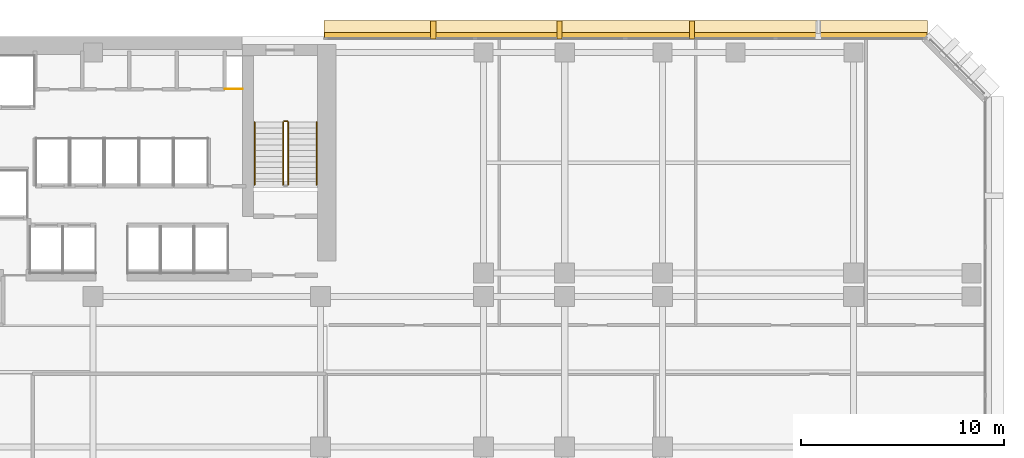
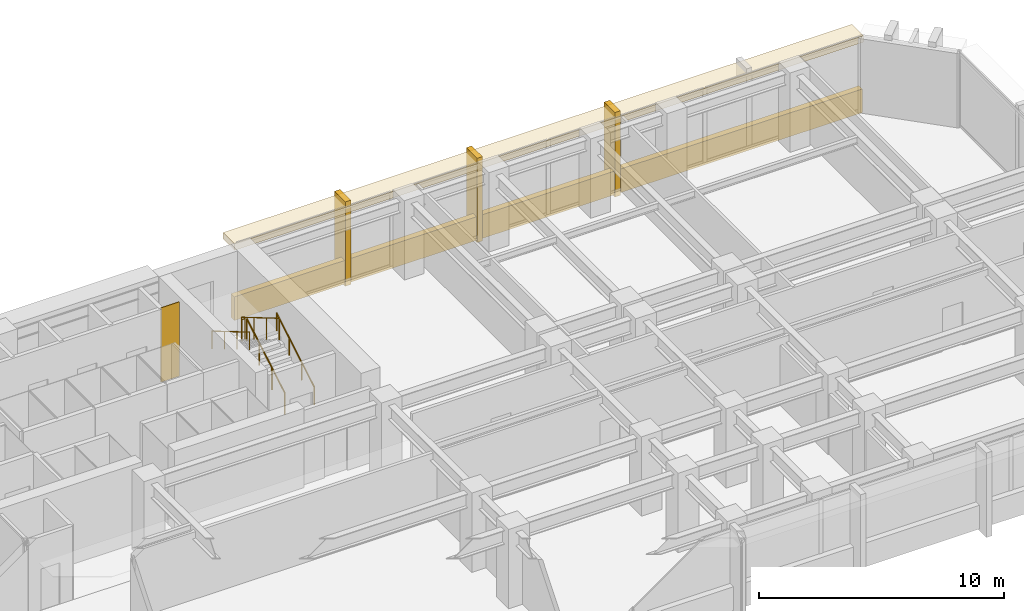
# One storey, part 13 of 14: 6 coverings, 5 railings.
"""IFC4 building model written with IfcOpenShell, lengths in metres."""

import ifcopenshell
import ifcopenshell.guid

model = None  # the IFC model being written
_history = None  # IfcOwnerHistory: only IFC2X3 demands one
_inside = {}  # id of a spatial element -> (the spatial element, [elements in it])
_under = {}  # id of a project, library or spatial element -> (it, [spatial elements below it])
_declared = {}  # id of a project -> (the project, [libraries it declares])
_typed = {}  # id of a type object -> (the type object, [elements of that type])
_made_of = {}  # id of a material, layer set ... -> (it, [elements and type objects made of it])


def new_model(schema):
    """Start an empty IFC model of exactly this schema.

    Asked for "IFC4X3", IfcOpenShell would pick the latest addendum, in which some entities
    have other attributes; the version numbers below select the first issue.
    IFC2X3 requires an IfcOwnerHistory on every rooted entity: one is made here for all.
    """
    global model, _history
    if schema == "IFC4X3":
        model = ifcopenshell.file(schema_version=(4, 3, 0, 0))
    else:
        model = ifcopenshell.file(schema=schema)
    _inside.clear()
    _under.clear()
    _declared.clear()
    _typed.clear()
    _made_of.clear()
    _history = None
    if model.schema == "IFC2X3":
        org = make("IfcOrganization", Name="unknown")
        user = make(
            "IfcPersonAndOrganization",
            ThePerson=make("IfcPerson", FamilyName="unknown"),
            TheOrganization=org,
        )
        app = make(
            "IfcApplication",
            ApplicationDeveloper=org,
            Version="unknown",
            ApplicationFullName="unknown",
            ApplicationIdentifier="unknown",
        )
        _history = make(
            "IfcOwnerHistory",
            OwningUser=user,
            OwningApplication=app,
            ChangeAction="ADDED",
            CreationDate=0,
        )
    return model


def make(cls, **values):
    """One entity of the class cls with the attributes given. An attribute that is None is left unset."""
    return model.create_entity(
        cls, **{name: value for name, value in values.items() if value is not None}
    )


def rooted(cls, **values):
    """An entity with a GlobalId (a new one), such as an element, a storey or a relation."""
    return make(cls, GlobalId=ifcopenshell.guid.new(), OwnerHistory=_history, **values)


def si_unit(unit_type, name, prefix=None):
    """IfcSIUnit, for example si_unit("LENGTHUNIT", "METRE", prefix="MILLI")."""
    return make("IfcSIUnit", UnitType=unit_type, Prefix=prefix, Name=name)


def assignment(units):
    """IfcUnitAssignment: the units of a project."""
    return None if units is None else make("IfcUnitAssignment", Units=units)


def point(xyz):
    """IfcCartesianPoint."""
    return None if xyz is None else make("IfcCartesianPoint", Coordinates=xyz)


def direction(xyz):
    """IfcDirection."""
    return None if xyz is None else make("IfcDirection", DirectionRatios=xyz)


def frame(location, z_axis=None, x_axis=None):
    """IfcAxis2Placement3D, a coordinate frame: its origin and axes. An axis left out is left unset."""
    return make(
        "IfcAxis2Placement3D",
        Location=point(location),
        Axis=direction(z_axis),
        RefDirection=direction(x_axis),
    )


def frame_2d(location, x_axis=None):
    """IfcAxis2Placement2D, a coordinate frame in the plane: its origin and x axis."""
    return make(
        "IfcAxis2Placement2D", Location=point(location), RefDirection=direction(x_axis)
    )


def origin():
    """The frame at (0, 0, 0) with its axes left unset."""
    return frame((0.0, 0.0, 0.0))


def origin_2d():
    """The frame at (0, 0) in the plane with its x axis left unset."""
    return frame_2d((0.0, 0.0))


def place(relative_to, where):
    """IfcLocalPlacement: puts the frame where relative to a parent placement (None: the world)."""
    return make(
        "IfcLocalPlacement", PlacementRelTo=relative_to, RelativePlacement=where
    )


def context(
    kind, dimensions, precision=None, world=None, true_north=None, identifier=None
):
    """IfcGeometricRepresentationContext, for example the 3D "Model" context."""
    return make(
        "IfcGeometricRepresentationContext",
        ContextIdentifier=identifier,
        ContextType=kind,
        CoordinateSpaceDimension=dimensions,
        Precision=precision,
        WorldCoordinateSystem=world,
        TrueNorth=true_north,
    )


def subcontext(parent, identifier, kind, view, scale=None):
    """IfcGeometricRepresentationSubContext, for example "Body" below "Model"."""
    return make(
        "IfcGeometricRepresentationSubContext",
        ContextIdentifier=identifier,
        ContextType=kind,
        ParentContext=parent,
        TargetScale=scale,
        TargetView=view,
    )


def project(units=None, contexts=None):
    """IfcProject with its units and contexts."""
    return rooted(
        "IfcProject",
        Name="project",
        RepresentationContexts=contexts,
        UnitsInContext=assignment(units),
    )


def spatial(cls, under=None, at=None, **own):
    """A site, building, storey or space (cls), placed at a placement, below another one or the project."""
    s = rooted(cls, ObjectPlacement=at, **own)
    if under is not None:
        _under.setdefault(under.id(), (under, []))[1].append(s)
    return s


def polyline(points):
    """IfcPolyline through the points."""
    return make("IfcPolyline", Points=[point(p) for p in points])


def profile(cls, at=None, kind="AREA", **sizes):
    """A parametric profile (cls). Its sizes go by their IFC names, for example OverallWidth=200.0."""
    return make(cls, ProfileType=kind, Position=at, **sizes)


def rectangle(**sizes):
    """IfcRectangleProfileDef."""
    return profile("IfcRectangleProfileDef", **sizes)


def circle(**sizes):
    """IfcCircleProfileDef."""
    return profile("IfcCircleProfileDef", **sizes)


def outline(outer, holes=None, kind="AREA"):
    """IfcArbitraryClosedProfileDef: a profile drawn as a closed curve; with holes, ...WithVoids."""
    if holes is None:
        return make("IfcArbitraryClosedProfileDef", ProfileType=kind, OuterCurve=outer)
    return make(
        "IfcArbitraryProfileDefWithVoids",
        ProfileType=kind,
        OuterCurve=outer,
        InnerCurves=holes,
    )


def extrude(swept, where, along, depth):
    """IfcExtrudedAreaSolid: the profile swept, set in the frame where, extruded along a direction by depth."""
    return make(
        "IfcExtrudedAreaSolid",
        SweptArea=swept,
        Position=where,
        ExtrudedDirection=direction(along),
        Depth=depth,
    )


def shape(context_of_items, identifier, shape_type, items):
    """IfcShapeRepresentation: the items that make up one representation, for example the "Body"."""
    return make(
        "IfcShapeRepresentation",
        ContextOfItems=context_of_items,
        RepresentationIdentifier=identifier,
        RepresentationType=shape_type,
        Items=items,
    )


def material(Name=None, Category=None):
    """IfcMaterial."""
    return make("IfcMaterial", Name=Name, Category=Category)


def layer(
    of_material, thickness, ventilated=None, Name=None, Category=None, Priority=None
):
    """IfcMaterialLayer: one layer of a wall or slab, of a material (None: an air gap)."""
    return make(
        "IfcMaterialLayer",
        Material=of_material,
        LayerThickness=thickness,
        IsVentilated=ventilated,
        Name=Name,
        Category=Category,
        Priority=Priority,
    )


def layer_set(layers, Name=None):
    """IfcMaterialLayerSet."""
    return make("IfcMaterialLayerSet", MaterialLayers=layers, LayerSetName=Name)


def made_of(thing, what):
    """Note that an element or type object is made of a material, layer set ...; save() writes the relation."""
    if what is not None:
        _made_of.setdefault(what.id(), (what, []))[1].append(thing)
    return thing


def type_object(cls, material=None, **own):
    """A type object (cls), such as IfcWallType, which elements share."""
    return made_of(rooted(cls, **own), material)


def element(
    cls,
    number,
    at=None,
    inside=None,
    cuts=None,
    type_object=None,
    material=None,
    context=None,
    identifier="Body",
    shape_type=None,
    held_by="IfcProductDefinitionShape",
    body=None,
    shapes=None,
    **own,
):
    """One element of the class cls, such as IfcWall. Its Tag is "e" and its number.

    at: its placement. inside: the storey or other place that contains it. cuts: it is an
    opening in that element (IfcRelVoidsElement). A single representation is given by context,
    identifier, shape_type and body (its items); several are given by shapes. held_by: the class
    of the entity that holds the representations. save() writes the other relations.
    """
    e = rooted(cls, Tag="e%d" % number, ObjectPlacement=at, **own)
    if body is not None:
        shapes = [shape(context, identifier, shape_type, body)]
    if shapes is not None:
        e.Representation = make(held_by, Representations=shapes)
    if inside is not None:
        _inside.setdefault(inside.id(), (inside, []))[1].append(e)
    if cuts is not None:
        rooted(
            "IfcRelVoidsElement", RelatingBuildingElement=cuts, RelatedOpeningElement=e
        )
    if type_object is not None:
        _typed.setdefault(type_object.id(), (type_object, []))[1].append(e)
    return made_of(e, material)


def aggregate(whole, parts):
    """IfcRelAggregates: a whole, such as a stair, and the parts it consists of."""
    return rooted("IfcRelAggregates", RelatingObject=whole, RelatedObjects=parts)


def save(model, path):
    """Write the relations noted so far, then the file.

    IfcRelAggregates (storeys below a building ...), IfcRelContainedInSpatialStructure (elements
    in a storey), IfcRelDefinesByType, IfcRelAssociatesMaterial and IfcRelDeclares: one each for
    every whole, place, type object, material and project.
    """
    for whole, parts in _under.values():
        aggregate(whole, parts)
    for where, things in _inside.values():
        rooted(
            "IfcRelContainedInSpatialStructure",
            RelatedElements=things,
            RelatingStructure=where,
        )
    for kind, things in _typed.values():
        rooted("IfcRelDefinesByType", RelatedObjects=things, RelatingType=kind)
    for what, things in _made_of.values():
        rooted("IfcRelAssociatesMaterial", RelatedObjects=things, RelatingMaterial=what)
    for by, libraries in _declared.values():
        rooted("IfcRelDeclares", RelatingContext=by, RelatedDefinitions=libraries)
    model.write(path)


model = new_model("IFC4")

# Units and contexts
model_context = context("Model", 3, precision=1e-05, world=origin(), true_north=direction((0.0, 1.0)))
body_context = subcontext(model_context, "Body", "Model", "MODEL_VIEW")
ifc_project = project(units=[si_unit("LENGTHUNIT", "METRE"), si_unit("AREAUNIT", "SQUARE_METRE"), si_unit("VOLUMEUNIT", "CUBIC_METRE"), si_unit("PLANEANGLEUNIT", "RADIAN"), si_unit("MASSUNIT", "GRAM", prefix="KILO")], contexts=[model_context])

# Site, building, storey
site_placement = place(None, origin())
site = spatial("IfcSite", under=ifc_project, at=site_placement, CompositionType="ELEMENT")
building_placement = place(site_placement, origin())
building = spatial("IfcBuilding", under=site, at=building_placement, Name="Kefirva Bronze Tower", CompositionType="ELEMENT")
storey_placement = place(building_placement, frame((0.0, 0.0, 42.239990234375)))
storey = spatial("IfcBuildingStorey", under=building, at=storey_placement, Name="L09", CompositionType="ELEMENT", Elevation=42.239990234375)

# Coverings
ifc_material_1 = material(Name="Bronze anodised aluminium", Category="aluminium")
ifc_layer_1 = layer(ifc_material_1, 0.02001953125, Name="Bronze anodised aluminium")
ifc_layer_set_1 = layer_set([ifc_layer_1], Name="Bronze anodised aluminium")
covering_type_1 = type_object("IfcCoveringType", Name="Anodised Bronze Spandrel Cladding 20mm", PredefinedType="CLADDING", material=ifc_layer_set_1)
covering_1_placement = place(storey_placement, frame((38.202392578125, 46.0400390625, -0.16015625), z_axis=(0.0, 0.0, 1.0), x_axis=(-1.0, 0.0, 0.0)))
element("IfcCovering", 1, at=covering_1_placement, inside=storey, type_object=covering_type_1, Name="L09 Streamline Horizontal Spandrel Band 8", PredefinedType="CLADDING", context=body_context, shape_type="SweptSolid", body=[
    extrude(rectangle(XDim=29.635009765625, YDim=0.280029296875, at=origin_2d()), origin(), (0.0, 0.0, 1.0), 1.179931640625),
])
covering_2_placement = place(storey_placement, origin())
element("IfcCovering", 2, at=covering_2_placement, inside=storey, type_object=covering_type_1, Name="L09 Core MEP Riser Shaft Liner South", PredefinedType="CLADDING", context=body_context, shape_type="SweptSolid", body=[
    extrude(outline(polyline([(18.47998046875, 43.39990234375), (19.360107421875, 43.39990234375), (19.360107421875, 43.429931640625), (18.47998046875, 43.429931640625), (18.47998046875, 43.39990234375)])), origin(), (0.0, 0.0, 1.0), 3.7099609375),
])

# Railings
ifc_material_2 = material(Name="Stainless steel 316", Category="steel")
railing_type_1 = type_object("IfcRailingType", Name="Interior Stair Guardrail 1100mm", PredefinedType="GUARDRAIL", material=ifc_material_2)
railing_1_placement = place(storey_placement, frame((21.60009765625, 38.699951171875, 0.1650390625)))
element("IfcRailing", 3, at=railing_1_placement, inside=storey, type_object=railing_type_1, Name="L09 ST-2 stair guard 1", PredefinedType="GUARDRAIL", context=body_context, shape_type="SweptSolid", body=[
    extrude(circle(Radius=0.02392578125, at=origin_2d()), frame((0.0, 0.0, 1.076171875), z_axis=(0.0, 0.861551262678, 0.507670583921), x_axis=(-1.0, 0.0, 0.0)), (0.0, 0.0, 1.0), 3.574951171875),
    extrude(circle(Radius=0.02099609375, at=origin_2d()), origin(), (0.0, 0.0, 1.0), 1.052001953125),
    extrude(circle(Radius=0.02099609375, at=origin_2d()), frame((0.0, 1.026611328125, 0.60498046875)), (0.0, 0.0, 1.0), 1.052001953125),
    extrude(circle(Radius=0.02099609375, at=origin_2d()), frame((0.0, 2.053466796875, 1.2099609375)), (0.0, 0.0, 1.0), 1.052001953125),
    extrude(circle(Radius=0.02099609375, at=origin_2d()), frame((0.0, 3.080078125, 1.81494140625)), (0.0, 0.0, 1.0), 1.052001953125),
])
railing_2_placement = place(storey_placement, frame((21.550048828125, 41.830078125, 1.97998046875)))
element("IfcRailing", 4, at=railing_2_placement, inside=storey, type_object=railing_type_1, Name="L09 ST-2 stair guard 2", PredefinedType="GUARDRAIL", context=body_context, shape_type="SweptSolid", body=[
    extrude(circle(Radius=0.02392578125, at=origin_2d()), frame((0.0, 0.0, 1.076171875), z_axis=(-1.0, 0.0, 0.0), x_axis=(0.0, -1.0, 0.0)), (0.0, 0.0, 1.0), 0.150146484375),
    extrude(circle(Radius=0.02099609375, at=origin_2d()), origin(), (0.0, 0.0, 1.0), 1.052001953125),
    extrude(circle(Radius=0.02099609375, at=origin_2d()), frame((-0.150146484375, 0.0, 0.0)), (0.0, 0.0, 1.0), 1.052001953125),
])
railing_3_placement = place(storey_placement, frame((21.35009765625, 41.780029296875, 2.14501953125)))
element("IfcRailing", 5, at=railing_3_placement, inside=storey, type_object=railing_type_1, Name="L09 ST-2 stair guard 3", PredefinedType="GUARDRAIL", context=body_context, shape_type="SweptSolid", body=[
    extrude(circle(Radius=0.02392578125, at=origin_2d()), frame((0.0, 0.0, 1.076171875), z_axis=(0.0, -0.861551262678, 0.507670583921), x_axis=(1.0, 0.0, 0.0)), (0.0, 0.0, 1.0), 3.574951171875),
    extrude(circle(Radius=0.02099609375, at=origin_2d()), origin(), (0.0, 0.0, 1.0), 1.052001953125),
    extrude(circle(Radius=0.02099609375, at=origin_2d()), frame((0.0, -1.026611328125, 0.60498046875)), (0.0, 0.0, 1.0), 1.052001953125),
    extrude(circle(Radius=0.02099609375, at=origin_2d()), frame((0.0, -2.053466796875, 1.2099609375)), (0.0, 0.0, 1.0), 1.052001953125),
    extrude(circle(Radius=0.02099609375, at=origin_2d()), frame((0.0, -3.080078125, 1.81494140625)), (0.0, 0.0, 1.0), 1.052001953125),
])
railing_type_2 = type_object("IfcRailingType", Name="Stair Pitch Handrail 900mm", PredefinedType="HANDRAIL", material=ifc_material_2)
railing_4_placement = place(storey_placement, frame((23.0, 38.699951171875, 0.1650390625)))
element("IfcRailing", 6, at=railing_4_placement, inside=storey, type_object=railing_type_2, Name="L09 ST-2 stair handrail 1", PredefinedType="HANDRAIL", context=body_context, shape_type="SweptSolid", body=[
    extrude(circle(Radius=0.02392578125, at=origin_2d()), frame((0.0, 0.0, 0.8759765625), z_axis=(0.0, 0.861551262678, 0.507670583921), x_axis=(-1.0, 0.0, 0.0)), (0.0, 0.0, 1.0), 3.574951171875),
    extrude(circle(Radius=0.02099609375, at=origin_2d()), origin(), (0.0, 0.0, 1.0), 0.851806640625),
    extrude(circle(Radius=0.02099609375, at=origin_2d()), frame((0.0, 1.026611328125, 0.60498046875)), (0.0, 0.0, 1.0), 0.851806640625),
    extrude(circle(Radius=0.02099609375, at=origin_2d()), frame((0.0, 2.053466796875, 1.2099609375)), (0.0, 0.0, 1.0), 0.851806640625),
    extrude(circle(Radius=0.02099609375, at=origin_2d()), frame((0.0, 3.080078125, 1.81494140625)), (0.0, 0.0, 1.0), 0.851806640625),
])
railing_5_placement = place(storey_placement, frame((19.949951171875, 41.780029296875, 2.14501953125)))
element("IfcRailing", 7, at=railing_5_placement, inside=storey, type_object=railing_type_2, Name="L09 ST-2 stair handrail 2", PredefinedType="HANDRAIL", context=body_context, shape_type="SweptSolid", body=[
    extrude(circle(Radius=0.02392578125, at=origin_2d()), frame((0.0, 0.0, 0.8759765625), z_axis=(0.0, -0.861551262678, 0.507670583921), x_axis=(1.0, 0.0, 0.0)), (0.0, 0.0, 1.0), 3.574951171875),
    extrude(circle(Radius=0.02099609375, at=origin_2d()), origin(), (0.0, 0.0, 1.0), 0.851806640625),
    extrude(circle(Radius=0.02099609375, at=origin_2d()), frame((0.0, -1.026611328125, 0.60498046875)), (0.0, 0.0, 1.0), 0.851806640625),
    extrude(circle(Radius=0.02099609375, at=origin_2d()), frame((0.0, -2.053466796875, 1.2099609375)), (0.0, 0.0, 1.0), 0.851806640625),
    extrude(circle(Radius=0.02099609375, at=origin_2d()), frame((0.0, -3.080078125, 1.81494140625)), (0.0, 0.0, 1.0), 0.851806640625),
])

# Coverings
ifc_layer_2 = layer(ifc_material_1, 0.179931640625, Name="Bronze anodised aluminium")
ifc_layer_set_2 = layer_set([ifc_layer_2], Name="Bronze anodised aluminium")
covering_type_2 = type_object("IfcCoveringType", Name="Streamline Bronze Sunshade Eyebrow Cladding 180mm", PredefinedType="CLADDING", material=ifc_layer_set_2)
covering_3_placement = place(storey_placement, frame((38.202392578125, 46.31005859375, 3.39013671875), z_axis=(0.0, 0.0, 1.0), x_axis=(-1.0, 0.0, 0.0)))
element("IfcCovering", 8, at=covering_3_placement, inside=storey, type_object=covering_type_2, Name="L09 Streamline Bronze Sunshade Eyebrow 8", PredefinedType="CLADDING", context=body_context, shape_type="SweptSolid", body=[
    extrude(rectangle(XDim=29.675048828125, YDim=0.93994140625, at=origin_2d()), origin(), (0.0, 0.0, 1.0), 0.320068359375),
])
ifc_layer_3 = layer(ifc_material_1, 0.260009765625, Name="Bronze anodised aluminium")
ifc_layer_set_3 = layer_set([ifc_layer_3], Name="Bronze anodised aluminium")
covering_type_3 = type_object("IfcCoveringType", Name="Unbroken Bronze Buttress Fin Cladding 260mm", PredefinedType="CLADDING", material=ifc_layer_set_3)
for number, where, z_axis, x_axis, name in (
    (9, (41.4580078125, 46.300048828125, -0.25), (0.0, 0.0, 1.0), (-1.0, 0.0, 0.0), "L09 Unbroken Vertical Bronze Rib Fin 20"),
    (10, (34.947021484375, 46.300048828125, -0.25), (0.0, 0.0, 1.0), (-1.0, 0.0, 0.0), "L09 Unbroken Vertical Bronze Rib Fin 21"),
    (11, (28.732177734375, 46.300048828125, -0.25), (0.0, 0.0, 1.0), (-1.0, 0.0, 0.0), "L09 Unbroken Vertical Bronze Rib Fin 22"),
):
    element("IfcCovering", number, at=place(storey_placement, frame(where, z_axis=z_axis, x_axis=x_axis)), inside=storey, type_object=covering_type_3, Name=name, PredefinedType="CLADDING", context=body_context, shape_type="SweptSolid", body=[
        extrude(rectangle(XDim=0.260009765625, YDim=0.8798828125, at=origin_2d()), origin(), (0.0, 0.0, 1.0), 4.2099609375),
    ])

save(model, "model.ifc")
